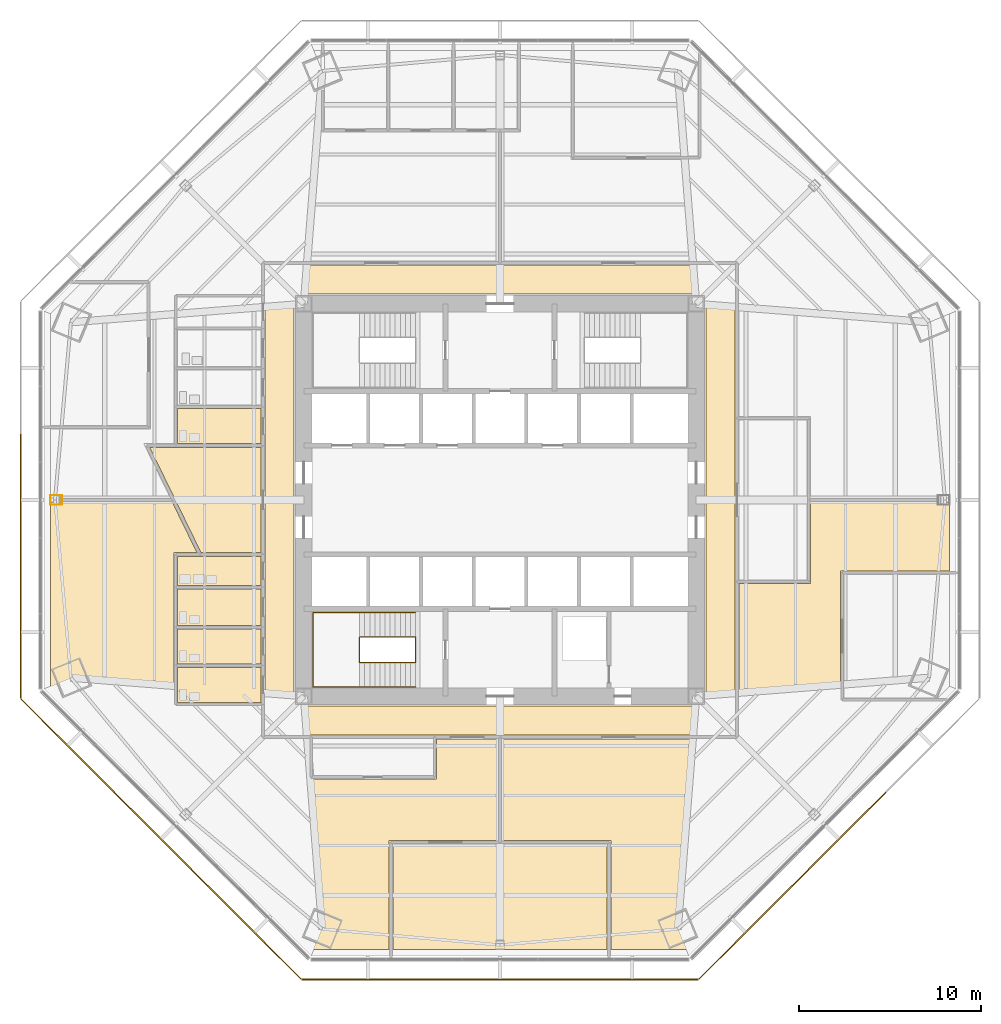
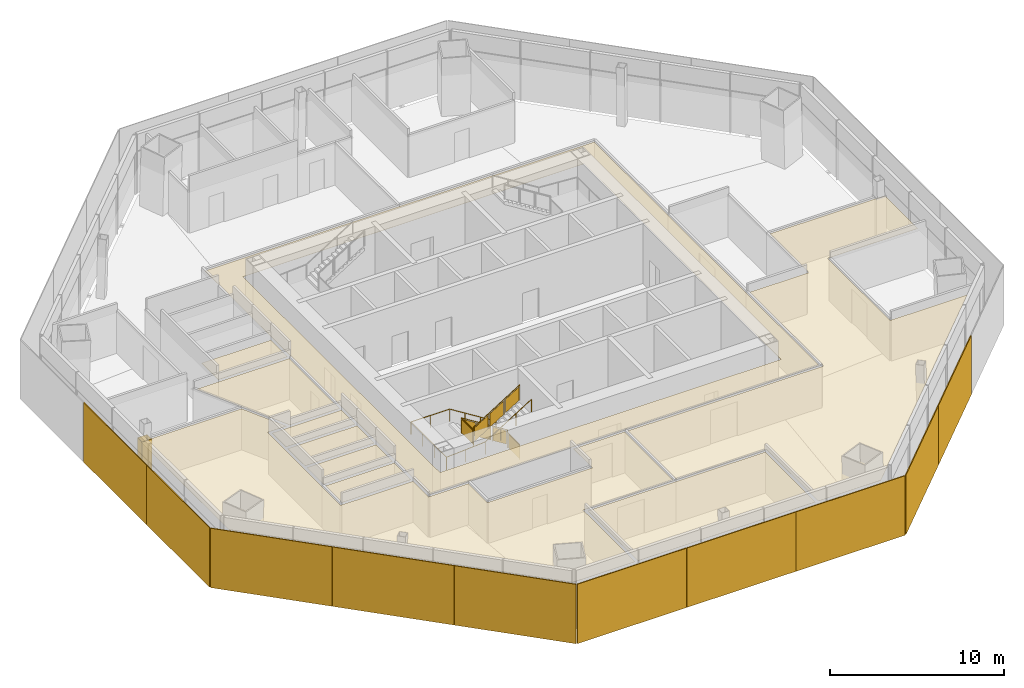
# One storey, part 13 of 16: 11 coverings, 10 shading devices, 2 railings.
"""IFC4 building model written with IfcOpenShell, lengths in metres."""

from ifc_helpers import new_model, si_unit, direction, frame, origin, origin_2d, place, context, subcontext, project, spatial, polyline, rectangle, circle, outline, extrude, source, transform, mapped, material, layer, layer_set, type_object, type_shapes, element, save


model = new_model("IFC4")

# Units and contexts
model_context = context("Model", 3, precision=1e-05, world=origin(), true_north=direction((0.0, 1.0)))
body_context = subcontext(model_context, "Body", "Model", "MODEL_VIEW")
ifc_project = project(units=[si_unit("LENGTHUNIT", "METRE"), si_unit("AREAUNIT", "SQUARE_METRE"), si_unit("VOLUMEUNIT", "CUBIC_METRE"), si_unit("PLANEANGLEUNIT", "RADIAN"), si_unit("MASSUNIT", "GRAM", prefix="KILO")], contexts=[model_context])

# Site, building, storey
site_placement = place(None, origin())
site = spatial("IfcSite", under=ifc_project, at=site_placement, CompositionType="ELEMENT")
building_placement = place(site_placement, origin())
building = spatial("IfcBuilding", under=site, at=building_placement, Name="Mashrafa Tower", CompositionType="ELEMENT")
storey_placement = place(building_placement, frame((0.0, 0.0, 96.0)))
storey = spatial("IfcBuildingStorey", under=building, at=storey_placement, Name="L21", CompositionType="ELEMENT", Elevation=96.0)

# Covering
ifc_material_1 = material(Name="Gypsum board")
ifc_layer_1 = layer(ifc_material_1, 0.014892578125)
ifc_layer_set_1 = layer_set([ifc_layer_1], Name="Column casing plasterboard 15")
covering_type_1 = type_object("IfcCoveringType", Name="Column casing plasterboard 15", PredefinedType="CLADDING", material=ifc_layer_set_1)
covering_1_placement = place(storey_placement, origin())
element("IfcCovering", 1, at=covering_1_placement, inside=storey, type_object=covering_type_1, Name="Column casing L21-002", PredefinedType="CLADDING", context=body_context, shape_type="SweptSolid", body=[
    extrude(outline(polyline([(-24.76416015625, 0.264892578125), (-24.114990234375, 0.264892578125), (-24.114990234375, -0.264892578125), (-24.76416015625, -0.264892578125), (-24.76416015625, 0.264892578125)]), holes=[polyline([(-24.130126953125, -0.25), (-24.130126953125, 0.25), (-24.7490234375, 0.25), (-24.7490234375, -0.25), (-24.130126953125, -0.25)])]), origin(), (0.0, 0.0, 1.0), 3.01416015625),
])

# Railings
ifc_material_2 = material(Name="Steel guard with glass infill", Category="steel")
railing_type_1 = type_object("IfcRailingType", Name="Stair guard 1100", PredefinedType="GUARDRAIL", material=ifc_material_2)
railing_1_placement = place(storey_placement, frame((-4.64990234375, -8.949951171875, 0.0)))
element("IfcRailing", 2, at=railing_1_placement, inside=storey, type_object=railing_type_1, Name="Stair S3 guard L21", PredefinedType="GUARDRAIL", context=body_context, shape_type="SweptSolid", body=[
    extrude(circle(Radius=0.02392578125, at=origin_2d()), frame((0.0, 0.0, 1.076171875), z_axis=(0.0, 1.0, 0.0), x_axis=(-1.0, 0.0, 0.0)), (0.0, 0.0, 1.0), 1.39990234375),
    extrude(circle(Radius=0.02392578125, at=origin_2d()), frame((0.0, 1.39990234375, 1.076171875), z_axis=(0.0, 0.0, 1.0), x_axis=(1.0, 0.0, 0.0)), (0.0, 0.0, 1.0), 0.175048828125),
    extrude(circle(Radius=0.02392578125, at=origin_2d()), frame((0.0, 1.39990234375, 1.2509765625), z_axis=(-0.847998304005, 0.0, 0.529998940003), x_axis=(0.0, -1.0, 0.0)), (0.0, 0.0, 1.0), 3.632080078125),
    extrude(circle(Radius=0.02392578125, at=origin_2d()), frame((-3.080078125, 1.39990234375, 3.17626953125), z_axis=(0.0, -1.0, 0.0), x_axis=(1.0, 0.0, 0.0)), (0.0, 0.0, 1.0), 1.39990234375),
    extrude(circle(Radius=0.02392578125, at=origin_2d()), frame((-3.080078125, 0.0, 3.17626953125), z_axis=(0.0, 0.0, 1.0), x_axis=(1.0, 0.0, 0.0)), (0.0, 0.0, 1.0), 0.1748046875),
    extrude(circle(Radius=0.02392578125, at=origin_2d()), frame((-3.080078125, 0.0, 3.35107421875), z_axis=(0.847998304005, 0.0, 0.529998940003), x_axis=(0.0, 1.0, 0.0)), (0.0, 0.0, 1.0), 3.632080078125),
    extrude(circle(Radius=0.02099609375, at=origin_2d()), origin(), (0.0, 0.0, 1.0), 1.052001953125),
    extrude(circle(Radius=0.02099609375, at=origin_2d()), frame((0.0, 1.39990234375, 0.0)), (0.0, 0.0, 1.0), 1.052001953125),
    extrude(circle(Radius=0.02099609375, at=origin_2d()), frame((0.0, 1.39990234375, 0.175048828125)), (0.0, 0.0, 1.0), 1.052001953125),
    extrude(circle(Radius=0.02099609375, at=origin_2d()), frame((-1.026611328125, 1.39990234375, 0.816650390625)), (0.0, 0.0, 1.0), 1.052001953125),
    extrude(circle(Radius=0.02099609375, at=origin_2d()), frame((-2.053466796875, 1.39990234375, 1.45849609375)), (0.0, 0.0, 1.0), 1.052001953125),
    extrude(circle(Radius=0.02099609375, at=origin_2d()), frame((-3.080078125, 1.39990234375, 2.10009765625)), (0.0, 0.0, 1.0), 1.052001953125),
    extrude(circle(Radius=0.02099609375, at=origin_2d()), frame((-3.080078125, 0.0, 2.10009765625)), (0.0, 0.0, 1.0), 1.052001953125),
    extrude(circle(Radius=0.02099609375, at=origin_2d()), frame((-3.080078125, 0.0, 2.27490234375)), (0.0, 0.0, 1.0), 1.052001953125),
    extrude(circle(Radius=0.02099609375, at=origin_2d()), frame((-2.053466796875, 0.0, 2.91650390625)), (0.0, 0.0, 1.0), 1.052001953125),
    extrude(circle(Radius=0.02099609375, at=origin_2d()), frame((-1.026611328125, 0.0, 3.558349609375)), (0.0, 0.0, 1.0), 1.052001953125),
    extrude(circle(Radius=0.02099609375, at=origin_2d()), frame((0.0, 0.0, 4.199951171875)), (0.0, 0.0, 1.0), 1.052001953125),
    extrude(outline(polyline([(0.071044921875, 0.050048828125), (1.328857421875, 0.050048828125), (1.328857421875, 1.001953125), (0.071044921875, 1.001953125), (0.071044921875, 0.050048828125)])), frame((0.006103515625, 0.0, 0.0), z_axis=(1.0, 0.0, 0.0), x_axis=(0.0, 1.0, 0.0)), (0.0, 0.0, 1.0), 0.011962890625),
    extrude(outline(polyline([(0.071044921875, 0.094482421875), (0.955810546875, 0.647216796875), (0.955810546875, 1.599365234375), (0.071044921875, 1.04638671875), (0.071044921875, 0.094482421875)])), frame((0.0, 1.406005859375, 0.175048828125), z_axis=(0.0, 1.0, 0.0), x_axis=(-1.0, 0.0, 0.0)), (0.0, 0.0, 1.0), 0.011962890625),
    extrude(outline(polyline([(1.09765625, 0.736083984375), (1.982421875, 1.2890625), (1.982421875, 2.240966796875), (1.09765625, 1.68798828125), (1.09765625, 0.736083984375)])), frame((0.0, 1.406005859375, 0.175048828125), z_axis=(0.0, 1.0, 0.0), x_axis=(-1.0, 0.0, 0.0)), (0.0, 0.0, 1.0), 0.011962890625),
    extrude(outline(polyline([(2.124267578125, 1.377685546875), (3.009033203125, 1.9306640625), (3.009033203125, 2.882568359375), (2.124267578125, 2.329833984375), (2.124267578125, 1.377685546875)])), frame((0.0, 1.406005859375, 0.175048828125), z_axis=(0.0, 1.0, 0.0), x_axis=(-1.0, 0.0, 0.0)), (0.0, 0.0, 1.0), 0.011962890625),
    extrude(outline(polyline([(0.071044921875, 0.050048828125), (1.328857421875, 0.050048828125), (1.328857421875, 1.001953125), (0.071044921875, 1.001953125), (0.071044921875, 0.050048828125)])), frame((-3.086181640625, 1.39990234375, 2.10009765625), z_axis=(-1.0, 0.0, 0.0), x_axis=(0.0, -1.0, 0.0)), (0.0, 0.0, 1.0), 0.011962890625),
    extrude(outline(polyline([(0.071044921875, 0.094482421875), (0.955810546875, 0.647216796875), (0.955810546875, 1.599365234375), (0.071044921875, 1.04638671875), (0.071044921875, 0.094482421875)])), frame((-3.080078125, -0.006103515625, 2.27490234375), z_axis=(0.0, -1.0, 0.0), x_axis=(1.0, 0.0, 0.0)), (0.0, 0.0, 1.0), 0.011962890625),
    extrude(outline(polyline([(1.09765625, 0.736083984375), (1.982421875, 1.2890625), (1.982421875, 2.240966796875), (1.09765625, 1.68798828125), (1.09765625, 0.736083984375)])), frame((-3.080078125, -0.006103515625, 2.27490234375), z_axis=(0.0, -1.0, 0.0), x_axis=(1.0, 0.0, 0.0)), (0.0, 0.0, 1.0), 0.011962890625),
    extrude(outline(polyline([(2.124267578125, 1.377685546875), (3.009033203125, 1.9306640625), (3.009033203125, 2.882568359375), (2.124267578125, 2.329833984375), (2.124267578125, 1.377685546875)])), frame((-3.080078125, -0.006103515625, 2.27490234375), z_axis=(0.0, -1.0, 0.0), x_axis=(1.0, 0.0, 0.0)), (0.0, 0.0, 1.0), 0.011962890625),
])
ifc_material_3 = material(Name="Steel", Category="steel")
railing_type_2 = type_object("IfcRailingType", Name="Stair handrail 900", PredefinedType="HANDRAIL", material=ifc_material_3)
railing_2_placement = place(storey_placement, frame((-4.64990234375, -6.199951171875, 0.175048828125)))
element("IfcRailing", 3, at=railing_2_placement, inside=storey, type_object=railing_type_2, Name="Stair S3 handrail L21", PredefinedType="HANDRAIL", context=body_context, shape_type="SweptSolid", body=[
    extrude(circle(Radius=0.02392578125, at=origin_2d()), frame((0.0, 0.0, 0.8759765625), z_axis=(-0.847998304005, 0.0, 0.529998940003), x_axis=(0.0, -1.0, 0.0)), (0.0, 0.0, 1.0), 3.632080078125),
    extrude(circle(Radius=0.02392578125, at=origin_2d()), frame((-3.080078125, 0.0, 2.80078125), z_axis=(-1.0, 0.0, 0.0), x_axis=(0.0, -1.0, 0.0)), (0.0, 0.0, 1.0), 2.570068359375),
    extrude(circle(Radius=0.02392578125, at=origin_2d()), frame((-5.650146484375, 0.0, 2.80078125), z_axis=(0.0, -1.0, 0.0), x_axis=(1.0, 0.0, 0.0)), (0.0, 0.0, 1.0), 4.10009765625),
    extrude(circle(Radius=0.02392578125, at=origin_2d()), frame((-5.650146484375, -4.10009765625, 2.80078125), z_axis=(0.99769493506, 0.0, 0.067858798661), x_axis=(0.0, 1.0, 0.0)), (0.0, 0.0, 1.0), 2.575927734375),
    extrude(circle(Radius=0.02392578125, at=origin_2d()), frame((-3.080078125, -4.10009765625, 2.9755859375), z_axis=(0.847998304005, 0.0, 0.529998940003), x_axis=(0.0, 1.0, 0.0)), (0.0, 0.0, 1.0), 3.632080078125),
    extrude(circle(Radius=0.02099609375, at=origin_2d()), origin(), (0.0, 0.0, 1.0), 0.851806640625),
    extrude(circle(Radius=0.02099609375, at=origin_2d()), frame((-1.026611328125, 0.0, 0.6416015625)), (0.0, 0.0, 1.0), 0.851806640625),
    extrude(circle(Radius=0.02099609375, at=origin_2d()), frame((-2.053466796875, 0.0, 1.283447265625)), (0.0, 0.0, 1.0), 0.851806640625),
    extrude(circle(Radius=0.02099609375, at=origin_2d()), frame((-3.080078125, 0.0, 1.925048828125)), (0.0, 0.0, 1.0), 0.851806640625),
    extrude(circle(Radius=0.02099609375, at=origin_2d()), frame((-4.365234375, 0.0, 1.925048828125)), (0.0, 0.0, 1.0), 0.851806640625),
    extrude(circle(Radius=0.02099609375, at=origin_2d()), frame((-5.650146484375, 0.0, 1.925048828125)), (0.0, 0.0, 1.0), 0.851806640625),
    extrude(circle(Radius=0.02099609375, at=origin_2d()), frame((-5.650146484375, -1.36669921875, 1.925048828125)), (0.0, 0.0, 1.0), 0.851806640625),
    extrude(circle(Radius=0.02099609375, at=origin_2d()), frame((-5.650146484375, -2.7333984375, 1.925048828125)), (0.0, 0.0, 1.0), 0.851806640625),
    extrude(circle(Radius=0.02099609375, at=origin_2d()), frame((-5.650146484375, -4.10009765625, 1.925048828125)), (0.0, 0.0, 1.0), 0.851806640625),
    extrude(circle(Radius=0.02099609375, at=origin_2d()), frame((-4.365234375, -4.10009765625, 2.012451171875)), (0.0, 0.0, 1.0), 0.851806640625),
    extrude(circle(Radius=0.02099609375, at=origin_2d()), frame((-3.080078125, -4.10009765625, 2.099853515625)), (0.0, 0.0, 1.0), 0.851806640625),
    extrude(circle(Radius=0.02099609375, at=origin_2d()), frame((-2.053466796875, -4.10009765625, 2.741455078125)), (0.0, 0.0, 1.0), 0.851806640625),
    extrude(circle(Radius=0.02099609375, at=origin_2d()), frame((-1.026611328125, -4.10009765625, 3.38330078125)), (0.0, 0.0, 1.0), 0.851806640625),
    extrude(circle(Radius=0.02099609375, at=origin_2d()), frame((0.0, -4.10009765625, 4.02490234375)), (0.0, 0.0, 1.0), 0.851806640625),
])

# Coverings
ifc_material_4 = material(Name="Mineral fibre tile on suspension grid")
ifc_layer_2 = layer(ifc_material_4, 0.014892578125)
ifc_layer_set_2 = layer_set([ifc_layer_2], Name="Suspended ceiling mineral tile 15")
covering_type_2 = type_object("IfcCoveringType", Name="Suspended ceiling mineral tile 15", PredefinedType="CEILING", material=ifc_layer_set_2)
covering_2_placement = place(storey_placement, frame((0.0, 0.0, 2.89990234375)))
element("IfcCovering", 4, at=covering_2_placement, inside=storey, type_object=covering_type_2, Name="Ceiling Office Corridor L21", PredefinedType="CEILING", context=body_context, shape_type="SweptSolid", body=[
    extrude(outline(polyline([(-12.949951171875, -12.949951171875), (-12.949951171875, 12.949951171875), (12.949951171875, 12.949951171875), (12.949951171875, -12.949951171875), (-12.949951171875, -12.949951171875)]), holes=[polyline([(11.35009765625, 11.35009765625), (-11.35009765625, 11.35009765625), (-11.35009765625, -11.35009765625), (11.35009765625, -11.35009765625), (11.35009765625, 11.35009765625)])]), origin(), (0.0, 0.0, 1.0), 0.01513671875),
])
covering_3_placement = place(storey_placement, frame((0.0, 0.0, 2.89990234375)))
element("IfcCovering", 5, at=covering_3_placement, inside=storey, type_object=covering_type_2, Name="Ceiling WC Female L21 N", PredefinedType="CEILING", context=body_context, shape_type="SweptSolid", body=[
    extrude(outline(polyline([(-17.75, 3.10009765625), (-17.75, 5.02490234375), (-13.14990234375, 5.02490234375), (-13.14990234375, 3.10009765625), (-17.75, 3.10009765625)])), origin(), (0.0, 0.0, 1.0), 0.01513671875),
])
covering_4_placement = place(storey_placement, frame((0.0, 0.0, 2.89990234375)))
element("IfcCovering", 6, at=covering_4_placement, inside=storey, type_object=covering_type_2, Name="Ceiling WC Female L21 S", PredefinedType="CEILING", context=body_context, shape_type="SweptSolid", body=[
    extrude(outline(polyline([(-17.75, -11.14990234375), (-17.75, -9.22509765625), (-13.14990234375, -9.22509765625), (-13.14990234375, -11.14990234375), (-17.75, -11.14990234375)])), origin(), (0.0, 0.0, 1.0), 0.01513671875),
])
covering_5_placement = place(storey_placement, frame((0.0, 0.0, 2.89990234375)))
element("IfcCovering", 7, at=covering_5_placement, inside=storey, type_object=covering_type_2, Name="Ceiling WC Male L21 S", PredefinedType="CEILING", context=body_context, shape_type="SweptSolid", body=[
    extrude(outline(polyline([(-17.75, -9.02490234375), (-17.75, -7.10009765625), (-13.14990234375, -7.10009765625), (-13.14990234375, -9.02490234375), (-17.75, -9.02490234375)])), origin(), (0.0, 0.0, 1.0), 0.01513671875),
])
covering_6_placement = place(storey_placement, frame((0.0, 0.0, 2.89990234375)))
element("IfcCovering", 8, at=covering_6_placement, inside=storey, type_object=covering_type_2, Name="Ceiling Accessible WC L21 S", PredefinedType="CEILING", context=body_context, shape_type="SweptSolid", body=[
    extrude(outline(polyline([(-17.75, -6.89990234375), (-17.75, -4.89990234375), (-13.14990234375, -4.89990234375), (-13.14990234375, -6.89990234375), (-17.75, -6.89990234375)])), origin(), (0.0, 0.0, 1.0), 0.01513671875),
])
covering_7_placement = place(storey_placement, frame((0.0, 0.0, 2.89990234375)))
element("IfcCovering", 9, at=covering_7_placement, inside=storey, type_object=covering_type_2, Name="Ceiling Ablution Room L21 S", PredefinedType="CEILING", context=body_context, shape_type="SweptSolid", body=[
    extrude(outline(polyline([(-17.75, -4.699951171875), (-17.75, -3.10009765625), (-13.14990234375, -3.10009765625), (-13.14990234375, -4.699951171875), (-17.75, -4.699951171875)])), origin(), (0.0, 0.0, 1.0), 0.01513671875),
])
covering_8_placement = place(storey_placement, frame((0.0, 0.0, 2.89990234375)))
element("IfcCovering", 10, at=covering_8_placement, inside=storey, type_object=covering_type_2, Name="Ceiling Musallah Prayer Room 21", PredefinedType="CEILING", context=body_context, shape_type="SweptSolid", body=[
    extrude(outline(polyline([(-16.461181640625, -2.89990234375), (-19.2900390625, 2.89990234375), (-13.14990234375, 2.89990234375), (-13.14990234375, -2.89990234375), (-16.461181640625, -2.89990234375)])), origin(), (0.0, 0.0, 1.0), 0.01513671875),
])
covering_9_placement = place(storey_placement, frame((0.0, 0.0, 2.89990234375)))
element("IfcCovering", 11, at=covering_9_placement, inside=storey, type_object=covering_type_2, Name="Ceiling Board Room 21", PredefinedType="CEILING", context=body_context, shape_type="SweptSolid", body=[
    extrude(outline(polyline([(-5.89990234375, -18.948974609375), (5.89990234375, -18.948974609375), (5.89990234375, -24.7490234375), (-5.89990234375, -24.7490234375), (-5.89990234375, -18.948974609375)])), origin(), (0.0, 0.0, 1.0), 0.01513671875),
])
covering_10_placement = place(storey_placement, frame((0.0, 0.0, 2.89990234375)))
element("IfcCovering", 12, at=covering_10_placement, inside=storey, type_object=covering_type_2, Name="Ceiling Investor Relations Office 21-SW", PredefinedType="CEILING", context=body_context, shape_type="SweptSolid", body=[
    extrude(outline(polyline([(-0.10009765625, -13.14990234375), (-0.10009765625, -18.7490234375), (-6.10009765625, -18.7490234375), (-6.10009765625, -24.7490234375), (-10.25146484375, -24.7490234375), (-24.7490234375, -10.25146484375), (-24.7490234375, -0.10009765625), (-18.04931640625, -0.10009765625), (-16.68359375, -2.89990234375), (-17.949951171875, -2.89990234375), (-17.949951171875, -11.35009765625), (-13.14990234375, -11.35009765625), (-13.14990234375, -13.14990234375), (-10.5, -13.14990234375), (-10.5, -15.35009765625), (-3.5, -15.35009765625), (-3.5, -13.14990234375), (-0.10009765625, -13.14990234375)])), origin(), (0.0, 0.0, 1.0), 0.01513671875),
])
covering_11_placement = place(storey_placement, frame((0.0, 0.0, 2.89990234375)))
element("IfcCovering", 13, at=covering_11_placement, inside=storey, type_object=covering_type_2, Name="Ceiling Legal Office 21-SE", PredefinedType="CEILING", context=body_context, shape_type="SweptSolid", body=[
    extrude(outline(polyline([(17.10009765625, -0.10009765625), (24.7490234375, -0.10009765625), (24.7490234375, -3.89990234375), (18.7490234375, -3.89990234375), (18.7490234375, -11.10009765625), (23.900390625, -11.10009765625), (10.25146484375, -24.7490234375), (6.10009765625, -24.7490234375), (6.10009765625, -18.7490234375), (0.10009765625, -18.7490234375), (0.10009765625, -13.14990234375), (13.14990234375, -13.14990234375), (13.14990234375, -4.60009765625), (17.10009765625, -4.60009765625), (17.10009765625, -0.10009765625)])), origin(), (0.0, 0.0, 1.0), 0.01513671875),
])

# Shading devices
ifc_material_5 = material(Name="Perforated aluminium plate, eight-point star pattern", Category="aluminium")
ifc_layer_3 = layer(ifc_material_5, 0.06005859375)
ifc_layer_set_3 = layer_set([ifc_layer_3], Name="Mashrabiya screen panel office zone 1, 45 percent open")
shading_device_type = type_object("IfcShadingDeviceType", Name="Mashrabiya screen panel office zone 1, 45 percent open", PredefinedType="SHUTTER", material=ifc_layer_set_3)
shared_shape = source(origin(), body_context, "Body", "SweptSolid", [
    extrude(rectangle(XDim=7.2548828125, YDim=0.06005859375, at=origin_2d()), origin(), (0.0, 0.0, 1.0), 4.179931640625),
])
type_shapes(shading_device_type, [shared_shape])
for number, where, z_axis, x_axis, name in (
    (14, (-26.39892578125, 0.0, -0.14990234375), (0.0, 0.0, 1.0), (0.0, -1.0, 0.0), "Mashrabiya screen L21 west 2"),
    (15, (-26.39892578125, -7.27490234375, -0.14990234375), (0.0, 0.0, 1.0), (0.0, -1.0, 0.0), "Mashrabiya screen L21 west 3"),
    (16, (-23.81103515625, -13.522705078125, -0.14990234375), (0.0, 0.0, 1.0), (0.707106781187, -0.707106781187, 0.0), "Mashrabiya screen L21 south-west 1"),
    (17, (-18.6669921875, -18.6669921875, -0.14990234375), (0.0, 0.0, 1.0), (0.707106781187, -0.707106781187, 0.0), "Mashrabiya screen L21 south-west 2"),
    (18, (-13.522705078125, -23.81103515625, -0.14990234375), (0.0, 0.0, 1.0), (0.707106781187, -0.707106781187, 0.0), "Mashrabiya screen L21 south-west 3"),
    (19, (-7.27490234375, -26.39892578125, -0.14990234375), (0.0, 0.0, 1.0), (1.0, 0.0, 0.0), "Mashrabiya screen L21 south 1"),
    (20, (0.0, -26.39892578125, -0.14990234375), (0.0, 0.0, 1.0), (1.0, 0.0, 0.0), "Mashrabiya screen L21 south 2"),
    (21, (7.27490234375, -26.39892578125, -0.14990234375), (0.0, 0.0, 1.0), (1.0, 0.0, 0.0), "Mashrabiya screen L21 south 3"),
    (22, (13.522705078125, -23.81103515625, -0.14990234375), (0.0, 0.0, 1.0), (0.707106781187, 0.707106781187, 0.0), "Mashrabiya screen L21 south-east 1"),
    (23, (18.6669921875, -18.6669921875, -0.14990234375), (0.0, 0.0, 1.0), (0.707106781187, 0.707106781187, 0.0), "Mashrabiya screen L21 south-east 2"),
):
    element("IfcShadingDevice", number, at=place(storey_placement, frame(where, z_axis=z_axis, x_axis=x_axis)), inside=storey, type_object=shading_device_type, Name=name, PredefinedType="SHUTTER", context=body_context, shape_type="MappedRepresentation", body=[
        mapped(shared_shape, transform((0.0, 0.0, 0.0))),
    ])

save(model, "model.ifc")
